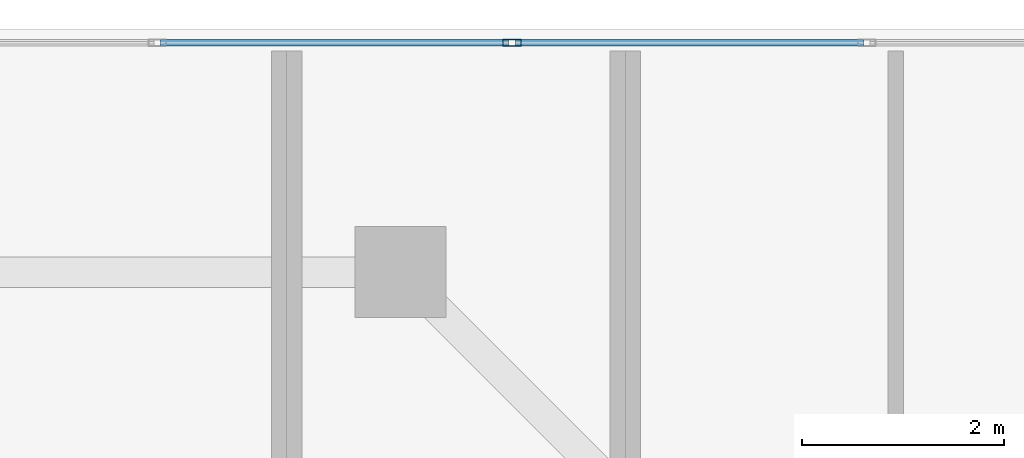
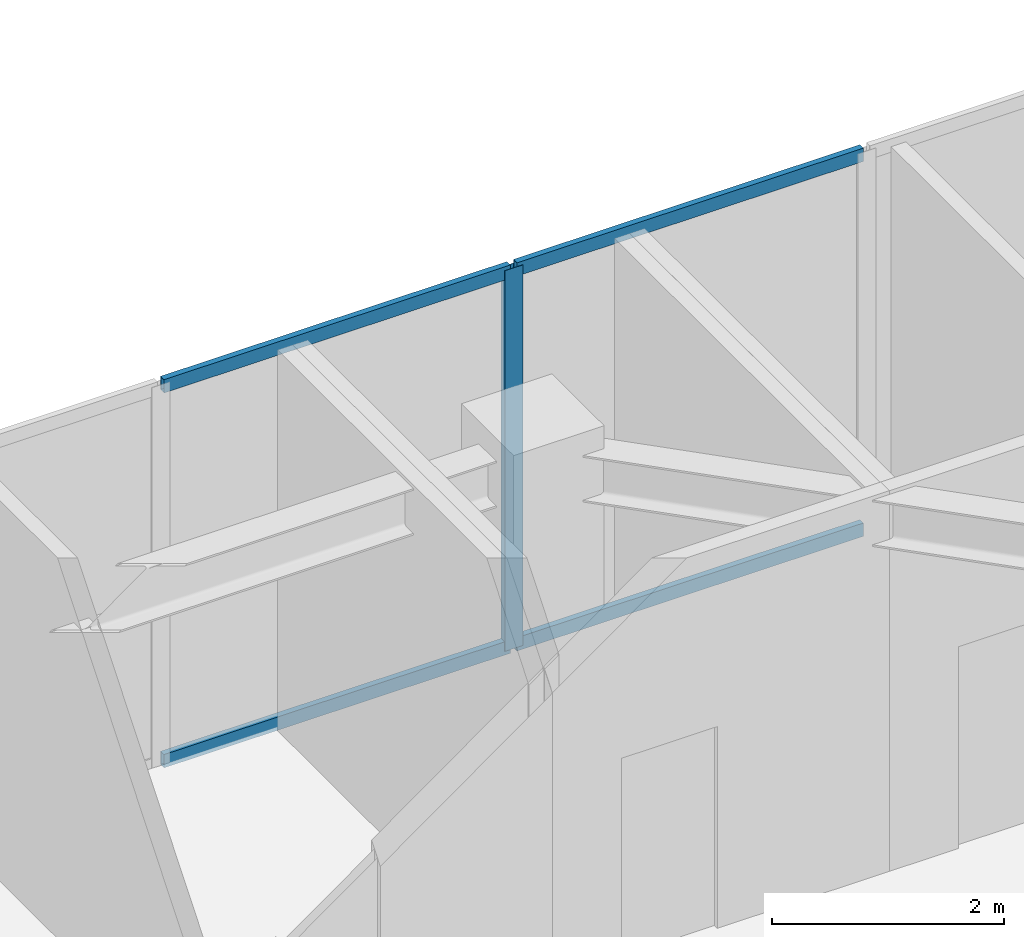
# One storey, part 11 of 39: 5 members, 1 element without a shape of its own.
"""IFC4 building model written with IfcOpenShell, lengths in metres."""

from ifc_helpers import new_model, si_unit, direction, frame, origin, origin_2d, place, context, subcontext, project, spatial, hollow_rectangle, extrude, material, layer, layer_set, material_profile, profile_set, type_object, element, aggregate, save


model = new_model("IFC4")

# Units and contexts
model_context = context("Model", 3, precision=1e-05, world=origin(), true_north=direction((0.0, 1.0)))
body_context = subcontext(model_context, "Body", "Model", "MODEL_VIEW")
ifc_project = project(units=[si_unit("LENGTHUNIT", "METRE"), si_unit("AREAUNIT", "SQUARE_METRE"), si_unit("VOLUMEUNIT", "CUBIC_METRE"), si_unit("PLANEANGLEUNIT", "RADIAN"), si_unit("MASSUNIT", "GRAM", prefix="KILO")], contexts=[model_context])

# Site, building, storey
site_placement = place(None, origin())
site = spatial("IfcSite", under=ifc_project, at=site_placement, CompositionType="ELEMENT")
building_placement = place(site_placement, origin())
building = spatial("IfcBuilding", under=site, at=building_placement, Name="Haolan Belvedere Tower", CompositionType="ELEMENT")
storey_placement = place(building_placement, frame((0.0, 0.0, 19.800048828125)))
storey = spatial("IfcBuildingStorey", under=building, at=storey_placement, Name="L04", CompositionType="ELEMENT", Elevation=19.800048828125)

# Curtain wall, members
ifc_material_1 = material(Name="Anodised champagne-silver aluminium 6063-T6 and Low-E glass", Category="aluminium")
ifc_layer = layer(ifc_material_1, 0.179931640625, Name="Anodised champagne-silver aluminium 6063-T6 and Low-E glass")
ifc_layer_set = layer_set([ifc_layer], Name="Anodised champagne-silver aluminium 6063-T6 and Low-E glass")
curtain_wall_type = type_object("IfcCurtainWallType", Name="CW-SYS-01", PredefinedType="NOTDEFINED", material=ifc_layer_set)
curtain_wall_placement = place(storey_placement, origin())
curtain_wall = element("IfcCurtainWall", 1, at=curtain_wall_placement, inside=storey, type_object=curtain_wall_type, Name="L04 CW-SYS-01 ribbon curtain wall 3.1", PredefinedType="NOTDEFINED")
ifc_material_2 = material(Name="Anodised aluminium 6063-T6", Category="aluminium")
ifc_material_profile_1 = material_profile(ifc_material_2, hollow_rectangle(XDim=0.06494140625, YDim=0.179931640625, WallThickness=0.00390625, at=origin_2d()), Name="Anodised aluminium 6063-T6")
ifc_profile_set_1 = profile_set([ifc_material_profile_1], Name="Anodised aluminium 6063-T6")
member_type_1 = type_object("IfcMemberType", Name="CW-SYS-01-MUL", PredefinedType="MULLION", material=ifc_profile_set_1)
member_1_placement = place(storey_placement, frame((19.103759765625, 53.8701171875, 0.0), z_axis=(0.0, 0.0, 1.0), x_axis=(0.0, -1.0, 0.0)))
member_1 = element("IfcMember", 2, at=member_1_placement, type_object=member_type_1, Name="CW-01 mullion 16", PredefinedType="MULLION", context=body_context, shape_type="SweptSolid", body=[
    extrude(hollow_rectangle(XDim=0.06494140625, YDim=0.179931640625, WallThickness=0.00390625, at=origin_2d()), origin(), (0.0, 0.0, 1.0), 4.0),
])
ifc_material_profile_2 = material_profile(ifc_material_2, hollow_rectangle(XDim=0.06005859375, YDim=0.139892578125, WallThickness=0.00390625, at=origin_2d()), Name="Anodised aluminium 6063-T6")
ifc_profile_set_2 = profile_set([ifc_material_profile_2], Name="Anodised aluminium 6063-T6")
member_type_2 = type_object("IfcMemberType", Name="CW-SYS-01-TRN", PredefinedType="USERDEFINED", material=ifc_profile_set_2)
member_2_placement = place(storey_placement, frame((22.57958984375, 53.8701171875, 0.030029296875), z_axis=(-1.0, 0.0, 0.0), x_axis=(0.0, -1.0, 0.0)))
member_2 = element("IfcMember", 3, at=member_2_placement, type_object=member_type_2, Name="CW-01 transom 15.1", ObjectType="TRANSOM", PredefinedType="USERDEFINED", context=body_context, shape_type="SweptSolid", body=[
    extrude(hollow_rectangle(XDim=0.06005859375, YDim=0.139892578125, WallThickness=0.00390625, at=origin_2d()), origin(), (0.0, 0.0, 1.0), 3.443359375),
])
member_3_placement = place(storey_placement, frame((22.57958984375, 53.8701171875, 3.969970703125), z_axis=(-1.0, 0.0, 0.0), x_axis=(0.0, -1.0, 0.0)))
member_3 = element("IfcMember", 4, at=member_3_placement, type_object=member_type_2, Name="CW-01 transom 15.2", ObjectType="TRANSOM", PredefinedType="USERDEFINED", context=body_context, shape_type="SweptSolid", body=[
    extrude(hollow_rectangle(XDim=0.06005859375, YDim=0.139892578125, WallThickness=0.00390625, at=origin_2d()), origin(), (0.0, 0.0, 1.0), 3.443359375),
])
member_4_placement = place(storey_placement, frame((19.0712890625, 53.8701171875, 0.030029296875), z_axis=(-1.0, 0.0, 0.0), x_axis=(0.0, -1.0, 0.0)))
member_4 = element("IfcMember", 5, at=member_4_placement, type_object=member_type_2, Name="CW-01 transom 16.1", ObjectType="TRANSOM", PredefinedType="USERDEFINED", context=body_context, shape_type="SweptSolid", body=[
    extrude(hollow_rectangle(XDim=0.06005859375, YDim=0.139892578125, WallThickness=0.00390625, at=origin_2d()), origin(), (0.0, 0.0, 1.0), 3.443603515625),
])
member_5_placement = place(storey_placement, frame((19.0712890625, 53.8701171875, 3.969970703125), z_axis=(-1.0, 0.0, 0.0), x_axis=(0.0, -1.0, 0.0)))
member_5 = element("IfcMember", 6, at=member_5_placement, type_object=member_type_2, Name="CW-01 transom 16.2", ObjectType="TRANSOM", PredefinedType="USERDEFINED", context=body_context, shape_type="SweptSolid", body=[
    extrude(hollow_rectangle(XDim=0.06005859375, YDim=0.139892578125, WallThickness=0.00390625, at=origin_2d()), origin(), (0.0, 0.0, 1.0), 3.443603515625),
])
aggregate(curtain_wall, [member_1, member_2, member_3, member_4, member_5])

save(model, "model.ifc")
